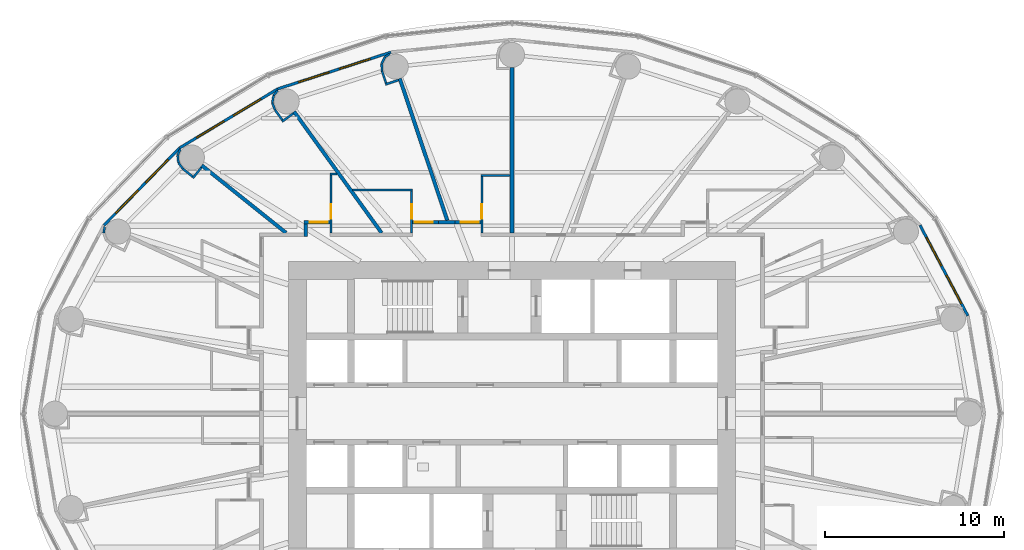
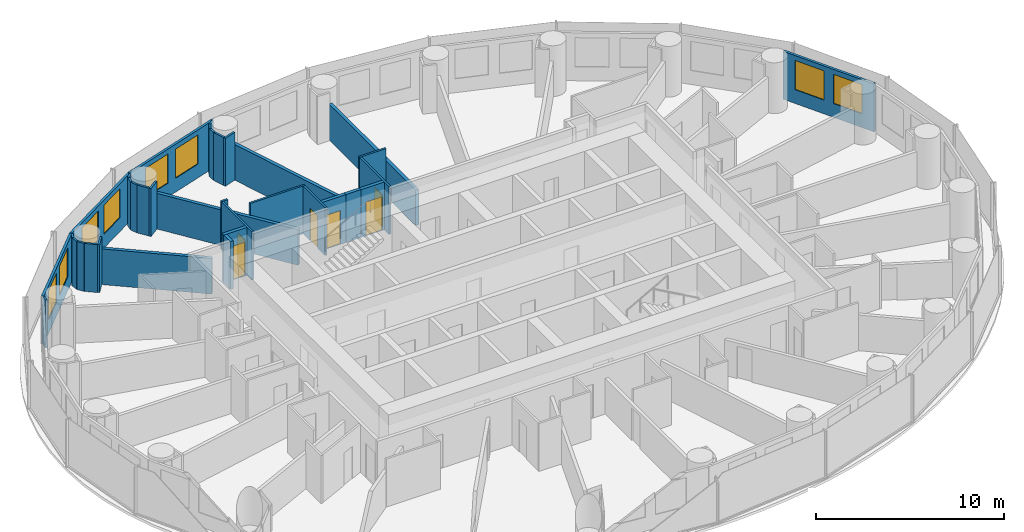
# One storey, part 12 of 16: 35 walls, 8 windows, 6 doors, 14 openings.
"""IFC4 building model written with IfcOpenShell, lengths in metres."""

from ifc_helpers import new_model, si_unit, direction, frame, frame_2d, origin, place, context, subcontext, project, spatial, rectangle, extrude, material, layer, layer_set, type_object, element, fill, save


model = new_model("IFC4")

# Units and contexts
model_context = context("Model", 3, precision=1e-05, world=origin(), true_north=direction((0.0, 1.0)))
body_context = subcontext(model_context, "Body", "Model", "MODEL_VIEW")
ifc_project = project(units=[si_unit("LENGTHUNIT", "METRE"), si_unit("AREAUNIT", "SQUARE_METRE"), si_unit("VOLUMEUNIT", "CUBIC_METRE"), si_unit("PLANEANGLEUNIT", "RADIAN"), si_unit("MASSUNIT", "GRAM", prefix="KILO")], contexts=[model_context])

# Site, building, storey
site_placement = place(None, origin())
site = spatial("IfcSite", under=ifc_project, at=site_placement, CompositionType="ELEMENT")
building_placement = place(site_placement, origin())
building = spatial("IfcBuilding", under=site, at=building_placement, Name="Hankou Lantern Tower", CompositionType="ELEMENT")
storey_placement = place(building_placement, frame((0.0, 0.0, 73.800048828125)))
storey = spatial("IfcBuildingStorey", under=building, at=storey_placement, Name="L18", CompositionType="ELEMENT", Elevation=73.800048828125)

# Wall, openings, windows
ifc_material_1 = material(Name="Aluminium spandrel panel on steel studs", Category="steel")
ifc_layer_1 = layer(ifc_material_1, 0.14990234375)
ifc_layer_set_1 = layer_set([ifc_layer_1], Name="Aluminium spandrel panel on steel studs")
wall_type_1 = type_object("IfcWallType", Name="EW1 INNER SKIN WALL 150", PredefinedType="ELEMENTEDWALL", material=ifc_layer_set_1)
wall_1_placement = place(storey_placement, frame((25.482421875, 5.46240234375, 0.0), z_axis=(0.0, 0.0, 1.0), x_axis=(-0.467296867008, 0.884100468321, 0.0)))
wall_1 = element("IfcWall", 1, at=wall_1_placement, inside=storey, type_object=wall_type_1, Name="Inner skin R02-R03 L18", PredefinedType="ELEMENTEDWALL", context=body_context, shape_type="SweptSolid", body=[
    extrude(rectangle(XDim=5.734375, YDim=0.14990234375, at=frame_2d((2.8671875, 0.0))), origin(), (0.0, 0.0, 1.0), 3.119873046875),
])
opening_1_placement = place(wall_1_placement, frame((0.76708984375, 0.0, 0.89990234375)))
opening_1 = element("IfcOpeningElement", 2, at=opening_1_placement, cuts=wall_1, Name="Opening W1", PredefinedType="OPENING", context=body_context, shape_type="SweptSolid", body=[
    extrude(rectangle(XDim=1.800048828125, YDim=1.89990234375, at=frame_2d((0.89990234375, 0.949951171875))), frame((0.0, 0.0849609375, 0.0), z_axis=(0.0, -1.0, 0.0), x_axis=(1.0, 0.0, 0.0)), (0.0, 0.0, 1.0), 0.169921875),
])
opening_2_placement = place(wall_1_placement, frame((3.167236328125, 0.0, 0.89990234375)))
opening_2 = element("IfcOpeningElement", 3, at=opening_2_placement, cuts=wall_1, Name="Opening W1", PredefinedType="OPENING", context=body_context, shape_type="SweptSolid", body=[
    extrude(rectangle(XDim=1.800048828125, YDim=1.89990234375, at=frame_2d((0.89990234375, 0.949951171875))), frame((0.0, 0.0849609375, 0.0), z_axis=(0.0, -1.0, 0.0), x_axis=(1.0, 0.0, 0.0)), (0.0, 0.0, 1.0), 0.169921875),
])
ifc_material_2 = material(Name="Aluminium framed double glazed window", Category="aluminium")
window_type = type_object("IfcWindowType", Name="W1 GUEST ROOM WINDOW 1800X1900", PartitioningType="DOUBLE_PANEL_VERTICAL", PredefinedType="WINDOW", material=ifc_material_2)
window_1_placement = place(opening_1_placement, origin())
window_1 = element("IfcWindow", 4, at=window_1_placement, inside=storey, type_object=window_type, Name="Window R02.1 L18", OverallHeight=1.89990234375, OverallWidth=1.800048828125, PartitioningType="SINGLE_PANEL", PredefinedType="WINDOW", context=body_context, shape_type="SweptSolid", body=[
    extrude(rectangle(XDim=1.800048828125, YDim=1.89990234375, at=frame_2d((0.89990234375, 0.949951171875))), frame((0.0, 0.030029296875, 0.0), z_axis=(0.0, -1.0, 0.0), x_axis=(1.0, 0.0, 0.0)), (0.0, 0.0, 1.0), 0.06005859375),
])
fill(opening_1, window_1)
window_2_placement = place(opening_2_placement, origin())
window_2 = element("IfcWindow", 5, at=window_2_placement, inside=storey, type_object=window_type, Name="Window R02.2 L18", OverallHeight=1.89990234375, OverallWidth=1.800048828125, PartitioningType="SINGLE_PANEL", PredefinedType="WINDOW", context=body_context, shape_type="SweptSolid", body=[
    extrude(rectangle(XDim=1.800048828125, YDim=1.89990234375, at=frame_2d((0.89990234375, 0.949951171875))), frame((0.0, 0.030029296875, 0.0), z_axis=(0.0, -1.0, 0.0), x_axis=(1.0, 0.0, 0.0)), (0.0, 0.0, 1.0), 0.06005859375),
])
fill(opening_2, window_2)

wall_2_placement = place(storey_placement, frame((-6.766357421875, 20.201904296875, 0.0), z_axis=(0.0, 0.0, 1.0), x_axis=(-0.951137534625, -0.308767534285, 0.0)))
wall_2 = element("IfcWall", 6, at=wall_2_placement, inside=storey, type_object=wall_type_1, Name="Inner skin R08-R09 L18", PredefinedType="ELEMENTEDWALL", context=body_context, shape_type="SweptSolid", body=[
    extrude(rectangle(XDim=6.6552734375, YDim=0.14990234375, at=frame_2d((3.32763671875, 0.0))), origin(), (0.0, 0.0, 1.0), 3.119873046875),
])
opening_3_placement = place(wall_2_placement, frame((1.2275390625, 0.0, 0.89990234375)))
opening_3 = element("IfcOpeningElement", 7, at=opening_3_placement, cuts=wall_2, Name="Opening W1", PredefinedType="OPENING", context=body_context, shape_type="SweptSolid", body=[
    extrude(rectangle(XDim=1.800048828125, YDim=1.89990234375, at=frame_2d((0.89990234375, 0.949951171875))), frame((0.0, 0.0849609375, 0.0), z_axis=(0.0, -1.0, 0.0), x_axis=(1.0, 0.0, 0.0)), (0.0, 0.0, 1.0), 0.169921875),
])
opening_4_placement = place(wall_2_placement, frame((3.627685546875, 0.0, 0.89990234375)))
opening_4 = element("IfcOpeningElement", 8, at=opening_4_placement, cuts=wall_2, Name="Opening W1", PredefinedType="OPENING", context=body_context, shape_type="SweptSolid", body=[
    extrude(rectangle(XDim=1.800048828125, YDim=1.89990234375, at=frame_2d((0.89990234375, 0.949951171875))), frame((0.0, 0.0849609375, 0.0), z_axis=(0.0, -1.0, 0.0), x_axis=(1.0, 0.0, 0.0)), (0.0, 0.0, 1.0), 0.169921875),
])
window_3_placement = place(opening_3_placement, origin())
window_3 = element("IfcWindow", 9, at=window_3_placement, inside=storey, type_object=window_type, Name="Window R08.1 L18", OverallHeight=1.89990234375, OverallWidth=1.800048828125, PartitioningType="SINGLE_PANEL", PredefinedType="WINDOW", context=body_context, shape_type="SweptSolid", body=[
    extrude(rectangle(XDim=1.800048828125, YDim=1.89990234375, at=frame_2d((0.89990234375, 0.949951171875))), frame((0.0, 0.030029296875, 0.0), z_axis=(0.0, -1.0, 0.0), x_axis=(1.0, 0.0, 0.0)), (0.0, 0.0, 1.0), 0.06005859375),
])
fill(opening_3, window_3)
window_4_placement = place(opening_4_placement, origin())
window_4 = element("IfcWindow", 10, at=window_4_placement, inside=storey, type_object=window_type, Name="Window R08.2 L18", OverallHeight=1.89990234375, OverallWidth=1.800048828125, PartitioningType="SINGLE_PANEL", PredefinedType="WINDOW", context=body_context, shape_type="SweptSolid", body=[
    extrude(rectangle(XDim=1.800048828125, YDim=1.89990234375, at=frame_2d((0.89990234375, 0.949951171875))), frame((0.0, 0.030029296875, 0.0), z_axis=(0.0, -1.0, 0.0), x_axis=(1.0, 0.0, 0.0)), (0.0, 0.0, 1.0), 0.06005859375),
])
fill(opening_4, window_4)

wall_3_placement = place(storey_placement, frame((-13.096435546875, 18.14697265625, 0.0), z_axis=(0.0, 0.0, 1.0), x_axis=(-0.856983180864, -0.515344377787, 0.0)))
wall_3 = element("IfcWall", 11, at=wall_3_placement, inside=storey, type_object=wall_type_1, Name="Inner skin R09-R10 L18", PredefinedType="ELEMENTEDWALL", context=body_context, shape_type="SweptSolid", body=[
    extrude(rectangle(XDim=6.386474609375, YDim=0.14990234375, at=frame_2d((3.193359375, 0.0))), origin(), (0.0, 0.0, 1.0), 3.119873046875),
])
opening_5_placement = place(wall_3_placement, frame((1.09326171875, 0.0, 0.89990234375)))
opening_5 = element("IfcOpeningElement", 12, at=opening_5_placement, cuts=wall_3, Name="Opening W1", PredefinedType="OPENING", context=body_context, shape_type="SweptSolid", body=[
    extrude(rectangle(XDim=1.800048828125, YDim=1.89990234375, at=frame_2d((0.89990234375, 0.949951171875))), frame((0.0, 0.0849609375, 0.0), z_axis=(0.0, -1.0, 0.0), x_axis=(1.0, 0.0, 0.0)), (0.0, 0.0, 1.0), 0.169921875),
])
opening_6_placement = place(wall_3_placement, frame((3.4931640625, 0.0, 0.89990234375)))
opening_6 = element("IfcOpeningElement", 13, at=opening_6_placement, cuts=wall_3, Name="Opening W1", PredefinedType="OPENING", context=body_context, shape_type="SweptSolid", body=[
    extrude(rectangle(XDim=1.800048828125, YDim=1.89990234375, at=frame_2d((0.89990234375, 0.949951171875))), frame((0.0, 0.0849609375, 0.0), z_axis=(0.0, -1.0, 0.0), x_axis=(1.0, 0.0, 0.0)), (0.0, 0.0, 1.0), 0.169921875),
])
window_5_placement = place(opening_5_placement, origin())
window_5 = element("IfcWindow", 14, at=window_5_placement, inside=storey, type_object=window_type, Name="Window R09.1 L18", OverallHeight=1.89990234375, OverallWidth=1.800048828125, PartitioningType="SINGLE_PANEL", PredefinedType="WINDOW", context=body_context, shape_type="SweptSolid", body=[
    extrude(rectangle(XDim=1.800048828125, YDim=1.89990234375, at=frame_2d((0.89990234375, 0.949951171875))), frame((0.0, 0.030029296875, 0.0), z_axis=(0.0, -1.0, 0.0), x_axis=(1.0, 0.0, 0.0)), (0.0, 0.0, 1.0), 0.06005859375),
])
fill(opening_5, window_5)
window_6_placement = place(opening_6_placement, origin())
window_6 = element("IfcWindow", 15, at=window_6_placement, inside=storey, type_object=window_type, Name="Window R09.2 L18", OverallHeight=1.89990234375, OverallWidth=1.800048828125, PartitioningType="SINGLE_PANEL", PredefinedType="WINDOW", context=body_context, shape_type="SweptSolid", body=[
    extrude(rectangle(XDim=1.800048828125, YDim=1.89990234375, at=frame_2d((0.89990234375, 0.949951171875))), frame((0.0, 0.030029296875, 0.0), z_axis=(0.0, -1.0, 0.0), x_axis=(1.0, 0.0, 0.0)), (0.0, 0.0, 1.0), 0.06005859375),
])
fill(opening_6, window_6)

wall_4_placement = place(storey_placement, frame((-18.569580078125, 14.855712890625, 0.0), z_axis=(0.0, 0.0, 1.0), x_axis=(-0.699602905915, -0.714531856557, 0.0)))
wall_4 = element("IfcWall", 16, at=wall_4_placement, inside=storey, type_object=wall_type_1, Name="Inner skin R10-R11 L18", PredefinedType="ELEMENTEDWALL", context=body_context, shape_type="SweptSolid", body=[
    extrude(rectangle(XDim=6.05078125, YDim=0.14990234375, at=frame_2d((3.025390625, 0.0))), origin(), (0.0, 0.0, 1.0), 3.119873046875),
])
opening_7_placement = place(wall_4_placement, frame((0.925537109375, 0.0, 0.89990234375)))
opening_7 = element("IfcOpeningElement", 17, at=opening_7_placement, cuts=wall_4, Name="Opening W1", PredefinedType="OPENING", context=body_context, shape_type="SweptSolid", body=[
    extrude(rectangle(XDim=1.800048828125, YDim=1.89990234375, at=frame_2d((0.89990234375, 0.949951171875))), frame((0.0, 0.0849609375, 0.0), z_axis=(0.0, -1.0, 0.0), x_axis=(1.0, 0.0, 0.0)), (0.0, 0.0, 1.0), 0.169921875),
])
opening_8_placement = place(wall_4_placement, frame((3.325439453125, 0.0, 0.89990234375)))
opening_8 = element("IfcOpeningElement", 18, at=opening_8_placement, cuts=wall_4, Name="Opening W1", PredefinedType="OPENING", context=body_context, shape_type="SweptSolid", body=[
    extrude(rectangle(XDim=1.800048828125, YDim=1.89990234375, at=frame_2d((0.89990234375, 0.949951171875))), frame((0.0, 0.0849609375, 0.0), z_axis=(0.0, -1.0, 0.0), x_axis=(1.0, 0.0, 0.0)), (0.0, 0.0, 1.0), 0.169921875),
])
window_7_placement = place(opening_7_placement, origin())
window_7 = element("IfcWindow", 19, at=window_7_placement, inside=storey, type_object=window_type, Name="Window R10.1 L18", OverallHeight=1.89990234375, OverallWidth=1.800048828125, PartitioningType="SINGLE_PANEL", PredefinedType="WINDOW", context=body_context, shape_type="SweptSolid", body=[
    extrude(rectangle(XDim=1.800048828125, YDim=1.89990234375, at=frame_2d((0.89990234375, 0.949951171875))), frame((0.0, 0.030029296875, 0.0), z_axis=(0.0, -1.0, 0.0), x_axis=(1.0, 0.0, 0.0)), (0.0, 0.0, 1.0), 0.06005859375),
])
fill(opening_7, window_7)
window_8_placement = place(opening_8_placement, origin())
window_8 = element("IfcWindow", 20, at=window_8_placement, inside=storey, type_object=window_type, Name="Window R10.2 L18", OverallHeight=1.89990234375, OverallWidth=1.800048828125, PartitioningType="SINGLE_PANEL", PredefinedType="WINDOW", context=body_context, shape_type="SweptSolid", body=[
    extrude(rectangle(XDim=1.800048828125, YDim=1.89990234375, at=frame_2d((0.89990234375, 0.949951171875))), frame((0.0, 0.030029296875, 0.0), z_axis=(0.0, -1.0, 0.0), x_axis=(1.0, 0.0, 0.0)), (0.0, 0.0, 1.0), 0.06005859375),
])
fill(opening_8, window_8)

# Walls
ifc_material_3 = material(Name="Masonry lightweight concrete block", Category="masonry")
ifc_layer_2 = layer(ifc_material_3, 0.199951171875)
ifc_layer_set_2 = layer_set([ifc_layer_2], Name="Masonry lightweight concrete block")
wall_type_2 = type_object("IfcWallType", Name="IW1 GUEST ROOM PARTY WALL 200", PredefinedType="PARTITIONING", material=ifc_layer_set_2)
wall_5_placement = place(storey_placement, frame((-3.617431640625, 10.800048828125, 0.0), z_axis=(0.0, 0.0, 1.0), x_axis=(-0.317576599239, 0.948232621046, 0.0)))
element("IfcWall", 21, at=wall_5_placement, inside=storey, type_object=wall_type_2, Name="Party wall R08", PredefinedType="PARTITIONING", context=body_context, shape_type="SweptSolid", body=[
    extrude(rectangle(XDim=8.3603515625, YDim=0.199951171875, at=frame_2d((4.18017578125, 0.0))), origin(), (0.0, 0.0, 1.0), 2.320068359375),
])
wall_6_placement = place(storey_placement, frame((-7.2890625, 10.10009765625, 0.0), z_axis=(0.0, 0.0, 1.0), x_axis=(-0.585198353053, 0.810890182197, 0.0)))
element("IfcWall", 22, at=wall_6_placement, inside=storey, type_object=wall_type_2, Name="Party wall R09", PredefinedType="PARTITIONING", context=body_context, shape_type="SweptSolid", body=[
    extrude(rectangle(XDim=8.359619140625, YDim=0.199951171875, at=frame_2d((4.1796875, 0.0))), origin(), (0.0, 0.0, 1.0), 2.320068359375),
])
wall_7_placement = place(storey_placement, frame((-12.625, 10.10009765625, 0.0), z_axis=(0.0, 0.0, 1.0), x_axis=(-0.780892451574, 0.624665493744, 0.0)))
element("IfcWall", 23, at=wall_7_placement, inside=storey, type_object=wall_type_2, Name="Party wall R10", PredefinedType="PARTITIONING", context=body_context, shape_type="SweptSolid", body=[
    extrude(rectangle(XDim=6.044677734375, YDim=0.199951171875, at=frame_2d((3.0224609375, 0.0))), origin(), (0.0, 0.0, 1.0), 2.320068359375),
])

# Wall, opening, door
ifc_material_4 = material(Name="Masonry lightweight concrete block", Category="masonry")
ifc_layer_3 = layer(ifc_material_4, 0.199951171875)
ifc_layer_set_3 = layer_set([ifc_layer_3], Name="Masonry lightweight concrete block")
wall_type_3 = type_object("IfcWallType", Name="IW2 CORRIDOR WALL 200", PredefinedType="PARTITIONING", material=ifc_layer_set_3)
wall_8_placement = place(storey_placement, frame((-3.179931640625, 10.699951171875, 0.0), z_axis=(0.0, 0.0, 1.0), x_axis=(1.0, 0.0, 0.0)))
wall_8 = element("IfcWall", 24, at=wall_8_placement, inside=storey, type_object=wall_type_3, Name="Corridor recess wall 1812 back", PredefinedType="PARTITIONING", context=body_context, shape_type="SweptSolid", body=[
    extrude(rectangle(XDim=1.43994140625, YDim=0.199951171875, at=frame_2d((0.719970703125, 0.0))), origin(), (0.0, 0.0, 1.0), 3.119873046875),
])
opening_9_placement = place(wall_8_placement, frame((0.320068359375, 0.0, 0.0)))
opening_9 = element("IfcOpeningElement", 25, at=opening_9_placement, cuts=wall_8, Name="Opening D1", PredefinedType="OPENING", context=body_context, shape_type="SweptSolid", body=[
    extrude(rectangle(XDim=1.0, YDim=2.199951171875, at=frame_2d((0.5, 1.10009765625))), frame((0.0, 0.10986328125, 0.0), z_axis=(0.0, -1.0, 0.0), x_axis=(1.0, 0.0, 0.0)), (0.0, 0.0, 1.0), 0.219970703125),
])
ifc_material_5 = material(Name="Steel door leaf", Category="steel")
door_type_1 = type_object("IfcDoorType", Name="D1 GUEST ROOM DOOR 1000X2200", OperationType="SINGLE_SWING_LEFT", PredefinedType="DOOR", material=ifc_material_5)
door_1_placement = place(opening_9_placement, origin())
door_1 = element("IfcDoor", 26, at=door_1_placement, inside=storey, type_object=door_type_1, Name="Guest room door 1812", OperationType="SINGLE_SWING_RIGHT", OverallHeight=2.199951171875, OverallWidth=1.0, PredefinedType="DOOR", context=body_context, shape_type="SweptSolid", body=[
    extrude(rectangle(XDim=1.0, YDim=2.199951171875, at=frame_2d((0.5, 1.10009765625))), frame((0.0, 0.02490234375, 0.0), z_axis=(0.0, -1.0, 0.0), x_axis=(1.0, 0.0, 0.0)), (0.0, 0.0, 1.0), 0.050048828125),
])
fill(opening_9, door_1)

wall_9_placement = place(storey_placement, frame((-5.549072265625, 10.699951171875, 0.0), z_axis=(0.0, 0.0, 1.0), x_axis=(1.0, 0.0, 0.0)))
wall_9 = element("IfcWall", 27, at=wall_9_placement, inside=storey, type_object=wall_type_3, Name="Corridor recess wall 1813 back", PredefinedType="PARTITIONING", context=body_context, shape_type="SweptSolid", body=[
    extrude(rectangle(XDim=1.43994140625, YDim=0.199951171875, at=frame_2d((0.719970703125, 0.0))), origin(), (0.0, 0.0, 1.0), 3.119873046875),
])
opening_10_placement = place(wall_9_placement, frame((0.1201171875, 0.0, 0.0)))
opening_10 = element("IfcOpeningElement", 28, at=opening_10_placement, cuts=wall_9, Name="Opening D1", PredefinedType="OPENING", context=body_context, shape_type="SweptSolid", body=[
    extrude(rectangle(XDim=1.0, YDim=2.199951171875, at=frame_2d((0.5, 1.10009765625))), frame((0.0, 0.10986328125, 0.0), z_axis=(0.0, -1.0, 0.0), x_axis=(1.0, 0.0, 0.0)), (0.0, 0.0, 1.0), 0.219970703125),
])
door_2_placement = place(opening_10_placement, origin())
door_2 = element("IfcDoor", 29, at=door_2_placement, inside=storey, type_object=door_type_1, Name="Guest room door 1813", OperationType="SINGLE_SWING_LEFT", OverallHeight=2.199951171875, OverallWidth=1.0, PredefinedType="DOOR", context=body_context, shape_type="SweptSolid", body=[
    extrude(rectangle(XDim=1.0, YDim=2.199951171875, at=frame_2d((0.5, 1.10009765625))), frame((0.0, 0.02490234375, 0.0), z_axis=(0.0, -1.0, 0.0), x_axis=(1.0, 0.0, 0.0)), (0.0, 0.0, 1.0), 0.050048828125),
])
fill(opening_10, door_2)

wall_10_placement = place(storey_placement, frame((-11.619140625, 10.699951171875, 0.0), z_axis=(0.0, 0.0, 1.0), x_axis=(1.0, 0.0, 0.0)))
wall_10 = element("IfcWall", 30, at=wall_10_placement, inside=storey, type_object=wall_type_3, Name="Corridor recess wall 1814 back", PredefinedType="PARTITIONING", context=body_context, shape_type="SweptSolid", body=[
    extrude(rectangle(XDim=1.440185546875, YDim=0.199951171875, at=frame_2d((0.72021484375, 0.0))), origin(), (0.0, 0.0, 1.0), 3.119873046875),
])
opening_11_placement = place(wall_10_placement, frame((0.320068359375, 0.0, 0.0)))
opening_11 = element("IfcOpeningElement", 31, at=opening_11_placement, cuts=wall_10, Name="Opening D1", PredefinedType="OPENING", context=body_context, shape_type="SweptSolid", body=[
    extrude(rectangle(XDim=1.0, YDim=2.199951171875, at=frame_2d((0.5, 1.10009765625))), frame((0.0, 0.10986328125, 0.0), z_axis=(0.0, -1.0, 0.0), x_axis=(1.0, 0.0, 0.0)), (0.0, 0.0, 1.0), 0.219970703125),
])
door_3_placement = place(opening_11_placement, origin())
door_3 = element("IfcDoor", 32, at=door_3_placement, inside=storey, type_object=door_type_1, Name="Guest room door 1814", OperationType="SINGLE_SWING_RIGHT", OverallHeight=2.199951171875, OverallWidth=1.0, PredefinedType="DOOR", context=body_context, shape_type="SweptSolid", body=[
    extrude(rectangle(XDim=1.0, YDim=2.199951171875, at=frame_2d((0.5, 1.10009765625))), frame((0.0, 0.02490234375, 0.0), z_axis=(0.0, -1.0, 0.0), x_axis=(1.0, 0.0, 0.0)), (0.0, 0.0, 1.0), 0.050048828125),
])
fill(opening_11, door_3)

# Walls
wall_11_placement = place(storey_placement, frame((-11.51904296875, 9.89990234375, 0.0), z_axis=(0.0, 0.0, 1.0), x_axis=(0.0, 1.0, 0.0)))
element("IfcWall", 33, at=wall_11_placement, inside=storey, type_object=wall_type_3, Name="Corridor recess wall 1814 side", PredefinedType="PARTITIONING", context=body_context, shape_type="SweptSolid", body=[
    extrude(rectangle(XDim=0.7001953125, YDim=0.199951171875, at=frame_2d((0.35009765625, 0.0))), origin(), (0.0, 0.0, 1.0), 3.119873046875),
])
wall_12_placement = place(storey_placement, frame((-4.109130859375, 10.699951171875, 0.0), z_axis=(0.0, 0.0, 1.0), x_axis=(1.0, 0.0, 0.0)))
element("IfcWall", 34, at=wall_12_placement, inside=storey, type_object=wall_type_3, Name="Corridor recess wall 1813 and 1812 back", PredefinedType="PARTITIONING", context=body_context, shape_type="SweptSolid", body=[
    extrude(rectangle(XDim=0.92919921875, YDim=0.199951171875, at=frame_2d((0.464599609375, 0.0))), origin(), (0.0, 0.0, 1.0), 3.119873046875),
])
ifc_material_6 = material(Name="Masonry lightweight concrete block", Category="masonry")
ifc_layer_4 = layer(ifc_material_6, 0.1201171875)
ifc_layer_set_4 = layer_set([ifc_layer_4], Name="Masonry lightweight concrete block")
wall_type_4 = type_object("IfcWallType", Name="IW3 BATHROOM WALL 120", PredefinedType="PARTITIONING", material=ifc_layer_set_4)
wall_13_placement = place(storey_placement, frame((-0.10009765625, 13.300048828125, 0.0), z_axis=(0.0, 0.0, 1.0), x_axis=(-1.0, 0.0, 0.0)))
element("IfcWall", 35, at=wall_13_placement, inside=storey, type_object=wall_type_4, Name="Box wall 1812 1", PredefinedType="PARTITIONING", context=body_context, shape_type="SweptSolid", body=[
    extrude(rectangle(XDim=1.639892578125, YDim=0.1201171875, at=frame_2d((0.81982421875, 0.0))), origin(), (0.0, 0.0, 1.0), 3.119873046875),
])

# Wall, opening, door
wall_14_placement = place(storey_placement, frame((-1.679931640625, 10.10009765625, 0.0), z_axis=(0.0, 0.0, 1.0), x_axis=(0.0, 1.0, 0.0)))
wall_14 = element("IfcWall", 36, at=wall_14_placement, inside=storey, type_object=wall_type_4, Name="Box wall 1812 1", PredefinedType="PARTITIONING", context=body_context, shape_type="SweptSolid", body=[
    extrude(rectangle(XDim=3.139892578125, YDim=0.1201171875, at=frame_2d((1.56982421875, 0.0))), origin(), (0.0, 0.0, 1.0), 3.119873046875),
])
opening_12_placement = place(wall_14_placement, frame((0.800048828125, 0.0, 0.0)))
opening_12 = element("IfcOpeningElement", 37, at=opening_12_placement, cuts=wall_14, Name="Opening D3", PredefinedType="OPENING", context=body_context, shape_type="SweptSolid", body=[
    extrude(rectangle(XDim=0.800048828125, YDim=2.10009765625, at=frame_2d((0.39990234375, 1.050048828125))), frame((0.0, 0.070068359375, 0.0), z_axis=(0.0, -1.0, 0.0), x_axis=(1.0, 0.0, 0.0)), (0.0, 0.0, 1.0), 0.14013671875),
])
ifc_material_7 = material(Name="Timber door leaf", Category="wood")
door_type_2 = type_object("IfcDoorType", Name="D3 BATHROOM DOOR 800X2100", OperationType="SINGLE_SWING_LEFT", PredefinedType="DOOR", material=ifc_material_7)
door_4_placement = place(opening_12_placement, origin())
door_4 = element("IfcDoor", 38, at=door_4_placement, inside=storey, type_object=door_type_2, Name="En-suite bathroom 1812 door", OperationType="SINGLE_SWING_LEFT", OverallHeight=2.10009765625, OverallWidth=0.800048828125, PredefinedType="DOOR", context=body_context, shape_type="SweptSolid", body=[
    extrude(rectangle(XDim=0.800048828125, YDim=2.10009765625, at=frame_2d((0.39990234375, 1.050048828125))), frame((0.0, 0.02490234375, 0.0), z_axis=(0.0, -1.0, 0.0), x_axis=(1.0, 0.0, 0.0)), (0.0, 0.0, 1.0), 0.050048828125),
])
fill(opening_12, door_4)

# Wall
wall_15_placement = place(storey_placement, frame((-8.921142578125, 12.5, 0.0), z_axis=(0.0, 0.0, 1.0), x_axis=(1.0, 0.0, 0.0)))
element("IfcWall", 39, at=wall_15_placement, inside=storey, type_object=wall_type_4, Name="Box wall 1813 1", PredefinedType="PARTITIONING", context=body_context, shape_type="SweptSolid", body=[
    extrude(rectangle(XDim=3.3720703125, YDim=0.1201171875, at=frame_2d((1.68603515625, 0.0))), origin(), (0.0, 0.0, 1.0), 3.119873046875),
])

# Wall, opening, door
wall_16_placement = place(storey_placement, frame((-5.609130859375, 10.10009765625, 0.0), z_axis=(0.0, 0.0, 1.0), x_axis=(0.0, 1.0, 0.0)))
wall_16 = element("IfcWall", 40, at=wall_16_placement, inside=storey, type_object=wall_type_4, Name="Box wall 1813 1", PredefinedType="PARTITIONING", context=body_context, shape_type="SweptSolid", body=[
    extrude(rectangle(XDim=2.33984375, YDim=0.1201171875, at=frame_2d((1.169921875, 0.0))), origin(), (0.0, 0.0, 1.0), 3.119873046875),
])
opening_13_placement = place(wall_16_placement, frame((0.800048828125, 0.0, 0.0)))
opening_13 = element("IfcOpeningElement", 41, at=opening_13_placement, cuts=wall_16, Name="Opening D3", PredefinedType="OPENING", context=body_context, shape_type="SweptSolid", body=[
    extrude(rectangle(XDim=0.800048828125, YDim=2.10009765625, at=frame_2d((0.39990234375, 1.050048828125))), frame((0.0, 0.070068359375, 0.0), z_axis=(0.0, -1.0, 0.0), x_axis=(1.0, 0.0, 0.0)), (0.0, 0.0, 1.0), 0.14013671875),
])
door_5_placement = place(opening_13_placement, origin())
door_5 = element("IfcDoor", 42, at=door_5_placement, inside=storey, type_object=door_type_2, Name="En-suite bathroom 1813 door", OperationType="SINGLE_SWING_RIGHT", OverallHeight=2.10009765625, OverallWidth=0.800048828125, PredefinedType="DOOR", context=body_context, shape_type="SweptSolid", body=[
    extrude(rectangle(XDim=0.800048828125, YDim=2.10009765625, at=frame_2d((0.39990234375, 1.050048828125))), frame((0.0, 0.02490234375, 0.0), z_axis=(0.0, -1.0, 0.0), x_axis=(1.0, 0.0, 0.0)), (0.0, 0.0, 1.0), 0.050048828125),
])
fill(opening_13, door_5)

# Wall
wall_17_placement = place(storey_placement, frame((-9.7705078125, 13.39990234375, 0.0), z_axis=(0.0, 0.0, 1.0), x_axis=(-1.0, 0.0, 0.0)))
element("IfcWall", 43, at=wall_17_placement, inside=storey, type_object=wall_type_4, Name="Box wall 1814 1", PredefinedType="PARTITIONING", context=body_context, shape_type="SweptSolid", body=[
    extrude(rectangle(XDim=0.408447265625, YDim=0.1201171875, at=frame_2d((0.2041015625, 0.0))), origin(), (0.0, 0.0, 1.0), 3.119873046875),
])

# Wall, opening, door
wall_18_placement = place(storey_placement, frame((-10.119140625, 10.10009765625, 0.0), z_axis=(0.0, 0.0, 1.0), x_axis=(0.0, 1.0, 0.0)))
wall_18 = element("IfcWall", 44, at=wall_18_placement, inside=storey, type_object=wall_type_4, Name="Box wall 1814 1", PredefinedType="PARTITIONING", context=body_context, shape_type="SweptSolid", body=[
    extrude(rectangle(XDim=3.239990234375, YDim=0.1201171875, at=frame_2d((1.6201171875, 0.0))), origin(), (0.0, 0.0, 1.0), 3.119873046875),
])
opening_14_placement = place(wall_18_placement, frame((0.800048828125, 0.0, 0.0)))
opening_14 = element("IfcOpeningElement", 45, at=opening_14_placement, cuts=wall_18, Name="Opening D3", PredefinedType="OPENING", context=body_context, shape_type="SweptSolid", body=[
    extrude(rectangle(XDim=0.800048828125, YDim=2.10009765625, at=frame_2d((0.39990234375, 1.050048828125))), frame((0.0, 0.070068359375, 0.0), z_axis=(0.0, -1.0, 0.0), x_axis=(1.0, 0.0, 0.0)), (0.0, 0.0, 1.0), 0.14013671875),
])
door_6_placement = place(opening_14_placement, origin())
door_6 = element("IfcDoor", 46, at=door_6_placement, inside=storey, type_object=door_type_2, Name="En-suite bathroom 1814 door", OperationType="SINGLE_SWING_LEFT", OverallHeight=2.10009765625, OverallWidth=0.800048828125, PredefinedType="DOOR", context=body_context, shape_type="SweptSolid", body=[
    extrude(rectangle(XDim=0.800048828125, YDim=2.10009765625, at=frame_2d((0.39990234375, 1.050048828125))), frame((0.0, 0.02490234375, 0.0), z_axis=(0.0, -1.0, 0.0), x_axis=(1.0, 0.0, 0.0)), (0.0, 0.0, 1.0), 0.050048828125),
])
fill(opening_14, door_6)

# Walls
ifc_material_8 = material(Name="Masonry lightweight concrete block", Category="masonry")
ifc_layer_5 = layer(ifc_material_8, 0.1201171875)
ifc_layer_set_5 = layer_set([ifc_layer_5], Name="Masonry lightweight concrete block")
wall_type_5 = type_object("IfcWallType", Name="IW4 PARTITION 120", PredefinedType="PARTITIONING", material=ifc_layer_set_5)
wall_19_placement = place(storey_placement, frame((-6.348388671875, 18.638916015625, 0.0), z_axis=(0.0, 0.0, 1.0), x_axis=(-0.948268951266, -0.317468102437, 0.0)))
element("IfcWall", 47, at=wall_19_placement, inside=storey, type_object=wall_type_5, Name="Column casing R08 return", PredefinedType="PARTITIONING", context=body_context, shape_type="SweptSolid", body=[
    extrude(rectangle(XDim=0.767578125, YDim=0.1201171875, at=frame_2d((0.3837890625, 0.0))), origin(), (0.0, 0.0, 1.0), 3.119873046875),
])
wall_20_placement = place(storey_placement, frame((-7.038330078125, 18.47119140625, 0.0), z_axis=(0.0, 0.0, 1.0), x_axis=(-0.317378466199, 0.9482989556, 0.0)))
element("IfcWall", 48, at=wall_20_placement, inside=storey, type_object=wall_type_5, Name="Column casing R08", PredefinedType="PARTITIONING", context=body_context, shape_type="SweptSolid", body=[
    extrude(rectangle(XDim=0.699951171875, YDim=0.1201171875, at=frame_2d((0.35009765625, 0.0))), origin(), (0.0, 0.0, 1.0), 3.119873046875),
])
wall_21_placement = place(storey_placement, frame((-7.260498046875, 19.135009765625, 0.0), z_axis=(0.0, 0.0, 1.0), x_axis=(-0.0613238046, 0.99811792439, 0.0)))
element("IfcWall", 49, at=wall_21_placement, inside=storey, type_object=wall_type_5, Name="Column casing R08", PredefinedType="PARTITIONING", context=body_context, shape_type="SweptSolid", body=[
    extrude(rectangle(XDim=0.41796875, YDim=0.1201171875, at=frame_2d((0.208984375, 0.0))), origin(), (0.0, 0.0, 1.0), 3.119873046875),
])
wall_22_placement = place(storey_placement, frame((-7.2861328125, 19.55224609375, 0.0), z_axis=(0.0, 0.0, 1.0), x_axis=(0.445810757773, 0.89512723579, 0.0)))
element("IfcWall", 50, at=wall_22_placement, inside=storey, type_object=wall_type_5, Name="Column casing R08", PredefinedType="PARTITIONING", context=body_context, shape_type="SweptSolid", body=[
    extrude(rectangle(XDim=0.417724609375, YDim=0.1201171875, at=frame_2d((0.208984375, 0.0))), origin(), (0.0, 0.0, 1.0), 3.119873046875),
])
wall_23_placement = place(storey_placement, frame((-7.099853515625, 19.92626953125, 0.0), z_axis=(0.0, 0.0, 1.0), x_axis=(0.833488262509, 0.552537162787, 0.0)))
element("IfcWall", 51, at=wall_23_placement, inside=storey, type_object=wall_type_5, Name="Column casing R08", PredefinedType="PARTITIONING", context=body_context, shape_type="SweptSolid", body=[
    extrude(rectangle(XDim=0.312744140625, YDim=0.1201171875, at=frame_2d((0.15625, 0.0))), origin(), (0.0, 0.0, 1.0), 3.119873046875),
])
wall_24_placement = place(storey_placement, frame((-12.227294921875, 16.771728515625, 0.0), z_axis=(0.0, 0.0, 1.0), x_axis=(-0.810821798253, -0.585293098778, 0.0)))
element("IfcWall", 52, at=wall_24_placement, inside=storey, type_object=wall_type_5, Name="Column casing R09 return", PredefinedType="PARTITIONING", context=body_context, shape_type="SweptSolid", body=[
    extrude(rectangle(XDim=0.767578125, YDim=0.1201171875, at=frame_2d((0.3837890625, 0.0))), origin(), (0.0, 0.0, 1.0), 3.119873046875),
])
wall_25_placement = place(storey_placement, frame((-12.8359375, 16.40625, 0.0), z_axis=(0.0, 0.0, 1.0), x_axis=(-0.585223113993, 0.810872312296, 0.0)))
element("IfcWall", 53, at=wall_25_placement, inside=storey, type_object=wall_type_5, Name="Column casing R09", PredefinedType="PARTITIONING", context=body_context, shape_type="SweptSolid", body=[
    extrude(rectangle(XDim=0.699951171875, YDim=0.1201171875, at=frame_2d((0.35009765625, 0.0))), origin(), (0.0, 0.0, 1.0), 3.119873046875),
])
wall_26_placement = place(storey_placement, frame((-13.24560546875, 16.973876953125, 0.0), z_axis=(0.0, 0.0, 1.0), x_axis=(-0.355728122235, 0.934589483705, 0.0)))
element("IfcWall", 54, at=wall_26_placement, inside=storey, type_object=wall_type_5, Name="Column casing R09", PredefinedType="PARTITIONING", context=body_context, shape_type="SweptSolid", body=[
    extrude(rectangle(XDim=0.41796875, YDim=0.1201171875, at=frame_2d((0.208984375, 0.0))), origin(), (0.0, 0.0, 1.0), 3.119873046875),
])
wall_27_placement = place(storey_placement, frame((-13.394287109375, 17.364501953125, 0.0), z_axis=(0.0, 0.0, 1.0), x_axis=(0.159379276926, 0.987217425943, 0.0)))
element("IfcWall", 55, at=wall_27_placement, inside=storey, type_object=wall_type_5, Name="Column casing R09", PredefinedType="PARTITIONING", context=body_context, shape_type="SweptSolid", body=[
    extrude(rectangle(XDim=0.418212890625, YDim=0.1201171875, at=frame_2d((0.208984375, 0.0))), origin(), (0.0, 0.0, 1.0), 3.119873046875),
])
wall_28_placement = place(storey_placement, frame((-13.32763671875, 17.77734375, 0.0), z_axis=(0.0, 0.0, 1.0), x_axis=(0.632276783541, 0.774742582407, 0.0)))
element("IfcWall", 56, at=wall_28_placement, inside=storey, type_object=wall_type_5, Name="Column casing R09", PredefinedType="PARTITIONING", context=body_context, shape_type="SweptSolid", body=[
    extrude(rectangle(XDim=0.35986328125, YDim=0.1201171875, at=frame_2d((0.179931640625, 0.0))), origin(), (0.0, 0.0, 1.0), 3.119873046875),
])
wall_29_placement = place(storey_placement, frame((-17.36083984375, 13.760498046875, 0.0), z_axis=(0.0, 0.0, 1.0), x_axis=(-0.624501042889, -0.781023973659, 0.0)))
element("IfcWall", 57, at=wall_29_placement, inside=storey, type_object=wall_type_5, Name="Column casing R10 return", PredefinedType="PARTITIONING", context=body_context, shape_type="SweptSolid", body=[
    extrude(rectangle(XDim=0.767333984375, YDim=0.1201171875, at=frame_2d((0.3837890625, 0.0))), origin(), (0.0, 0.0, 1.0), 3.119873046875),
])
wall_30_placement = place(storey_placement, frame((-17.849609375, 13.24560546875, 0.0), z_axis=(0.0, 0.0, 1.0), x_axis=(-0.780902834923, 0.62465251333, 0.0)))
element("IfcWall", 58, at=wall_30_placement, inside=storey, type_object=wall_type_5, Name="Column casing R10", PredefinedType="PARTITIONING", context=body_context, shape_type="SweptSolid", body=[
    extrude(rectangle(XDim=0.699951171875, YDim=0.1201171875, at=frame_2d((0.35009765625, 0.0))), origin(), (0.0, 0.0, 1.0), 3.119873046875),
])
for number, where, z_axis, x_axis, name in (
    (59, (-18.396240234375, 13.682861328125, 0.0), (0.0, 0.0, 1.0), (-0.592401603461, 0.805642811807, 0.0), "Column casing R10"),
    (60, (-18.643798828125, 14.01953125, 0.0), (0.0, 0.0, 1.0), (-0.110367433259, 0.993890854006, 0.0), "Column casing R10"),
):
    element("IfcWall", number, at=place(storey_placement, frame(where, z_axis=z_axis, x_axis=x_axis)), inside=storey, type_object=wall_type_5, Name=name, PredefinedType="PARTITIONING", context=body_context, shape_type="SweptSolid", body=[
        extrude(rectangle(XDim=0.41796875, YDim=0.1201171875, at=frame_2d((0.208984375, 0.0))), origin(), (0.0, 0.0, 1.0), 3.119873046875),
    ])
wall_31_placement = place(storey_placement, frame((-18.68994140625, 14.43505859375, 0.0), z_axis=(0.0, 0.0, 1.0), x_axis=(0.401093412634, 0.91603715773, 0.0)))
element("IfcWall", 61, at=wall_31_placement, inside=storey, type_object=wall_type_5, Name="Column casing R10", PredefinedType="PARTITIONING", context=body_context, shape_type="SweptSolid", body=[
    extrude(rectangle(XDim=0.373046875, YDim=0.1201171875, at=frame_2d((0.1865234375, 0.0))), origin(), (0.0, 0.0, 1.0), 3.119873046875),
])
wall_32_placement = place(storey_placement, frame((-22.8232421875, 10.096923828125, 0.0), z_axis=(0.0, 0.0, 1.0), x_axis=(0.169674995186, 0.985500074079, 0.0)))
element("IfcWall", 62, at=wall_32_placement, inside=storey, type_object=wall_type_5, Name="Column casing R11", PredefinedType="PARTITIONING", context=body_context, shape_type="SweptSolid", body=[
    extrude(rectangle(XDim=0.3525390625, YDim=0.1201171875, at=frame_2d((0.17626953125, 0.0))), origin(), (0.0, 0.0, 1.0), 3.119873046875),
])
ifc_material_9 = material(Name="Masonry lightweight concrete block", Category="masonry")
ifc_layer_6 = layer(ifc_material_9, 0.199951171875)
ifc_layer_set_6 = layer_set([ifc_layer_6], Name="Masonry lightweight concrete block")
wall_type_6 = type_object("IfcWallType", Name="IW8 PARTITION 200", PredefinedType="PARTITIONING", material=ifc_layer_set_6)
wall_33_placement = place(storey_placement, frame((0.0, 10.10009765625, 0.0), z_axis=(0.0, 0.0, 1.0), x_axis=(0.0, 1.0, 0.0)))
element("IfcWall", 63, at=wall_33_placement, inside=storey, type_object=wall_type_6, Name="Partition R07", PredefinedType="PARTITIONING", context=body_context, shape_type="SweptSolid", body=[
    extrude(rectangle(XDim=9.25, YDim=0.199951171875, at=frame_2d((4.625, 0.0))), origin(), (0.0, 0.0, 1.0), 2.320068359375),
])

save(model, "model.ifc")
